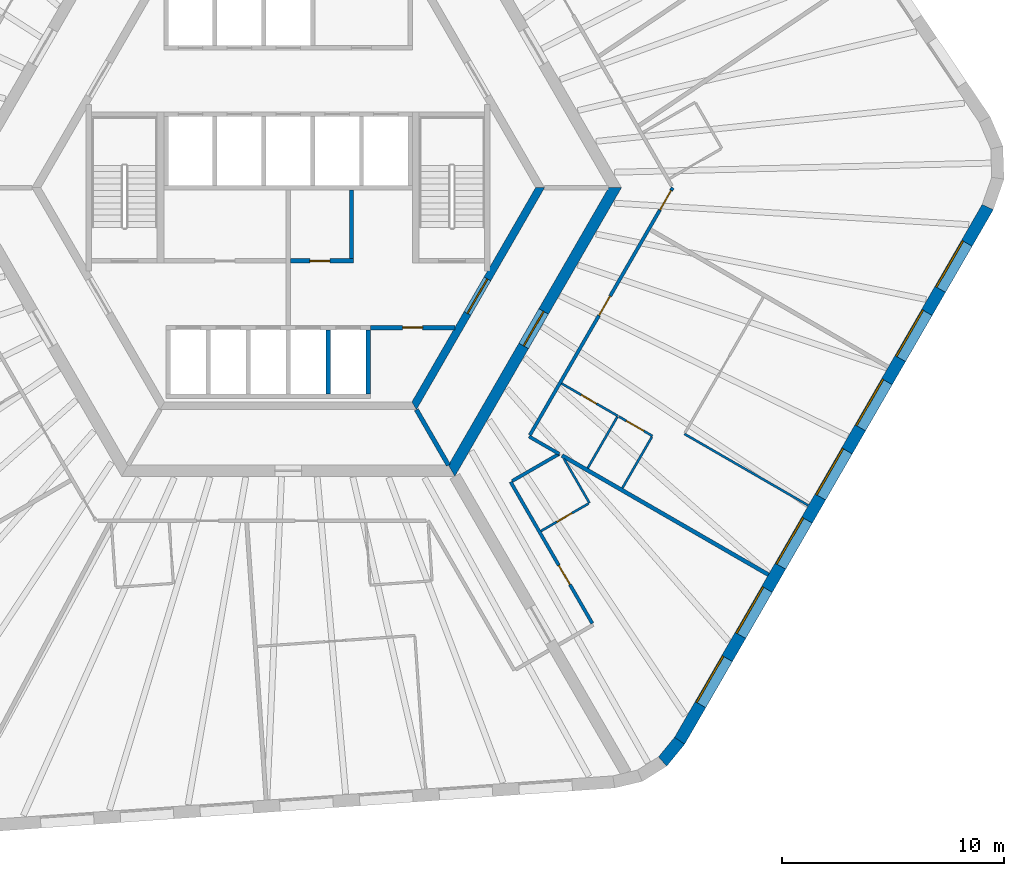
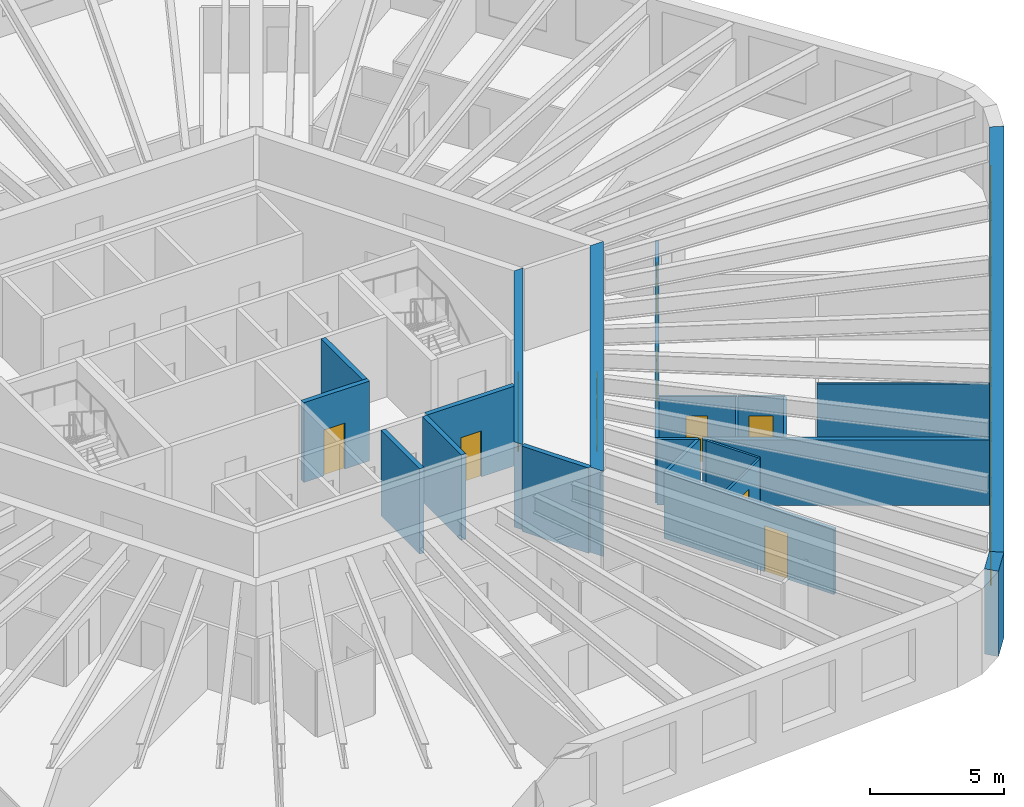
# One storey, part 5 of 10: 22 walls, 10 doors, 7 windows, 17 openings.
"""IFC4 building model written with IfcOpenShell, lengths in metres."""

from ifc_helpers import new_model, si_unit, direction, frame, frame_2d, origin, place, context, subcontext, project, spatial, polyline, rectangle, outline, extrude, material, layer, layer_set, type_object, element, fill, save


model = new_model("IFC4")

# Units and contexts
model_context = context("Model", 3, precision=1e-05, world=origin(), true_north=direction((0.0, 1.0)))
body_context = subcontext(model_context, "Body", "Model", "MODEL_VIEW")
ifc_project = project(units=[si_unit("LENGTHUNIT", "METRE"), si_unit("AREAUNIT", "SQUARE_METRE"), si_unit("VOLUMEUNIT", "CUBIC_METRE"), si_unit("PLANEANGLEUNIT", "RADIAN"), si_unit("MASSUNIT", "GRAM", prefix="KILO")], contexts=[model_context])

# Site, building, storey
site_placement = place(None, origin())
site = spatial("IfcSite", under=ifc_project, at=site_placement, CompositionType="ELEMENT")
building_placement = place(site_placement, origin())
building = spatial("IfcBuilding", under=site, at=building_placement, Name="Tarnside Tower", CompositionType="ELEMENT")
storey_placement = place(building_placement, frame((0.0, 0.0, 168.300048828125)))
storey = spatial("IfcBuildingStorey", under=building, at=storey_placement, Name="L39", CompositionType="ELEMENT", Elevation=168.300048828125)

# Wall
ifc_material_1 = material(Name="Gypsum board partition on steel studs", Category="steel")
ifc_layer_1 = layer(ifc_material_1, 0.10009765625)
ifc_layer_set_1 = layer_set([ifc_layer_1], Name="Bathroom wall 100")
wall_type_1 = type_object("IfcWallType", Name="Bathroom wall 100", PredefinedType="PARTITIONING", material=ifc_layer_set_1)
wall_1_placement = place(storey_placement, frame((12.42626953125, -12.22265625, 0.0), z_axis=(0.0, 0.0, 1.0), x_axis=(0.499959451571, -0.866048813165, 0.0)))
element("IfcWall", 1, at=wall_1_placement, inside=storey, type_object=wall_type_1, Name="Bathroom wall 12086", PredefinedType="PARTITIONING", context=body_context, shape_type="SweptSolid", body=[
    extrude(rectangle(XDim=2.288818359375, YDim=0.10009765625, at=frame_2d((1.14453125, 0.0))), origin(), (0.0, 0.0, 1.0), 2.98779296875),
])

# Wall, opening, door
wall_2_placement = place(storey_placement, frame((13.527099609375, -14.229736328125, 0.0), z_axis=(0.0, 0.0, 1.0), x_axis=(-0.866006523861, -0.500032699561, 0.0)))
wall_2 = element("IfcWall", 2, at=wall_2_placement, inside=storey, type_object=wall_type_1, Name="Bathroom wall 12087", PredefinedType="PARTITIONING", context=body_context, shape_type="SweptSolid", body=[
    extrude(rectangle(XDim=2.474853515625, YDim=0.10009765625, at=frame_2d((1.2373046875, 0.0))), origin(), (0.0, 0.0, 1.0), 2.98779296875),
])
opening_1_placement = place(wall_2_placement, frame((0.85009765625, 0.0, 0.0)))
opening_1 = element("IfcOpeningElement", 3, at=opening_1_placement, cuts=wall_2, Name="Opening D-B1", PredefinedType="OPENING", context=body_context, shape_type="SweptSolid", body=[
    extrude(rectangle(XDim=0.800048828125, YDim=2.10009765625, at=frame_2d((0.39990234375, 1.050048828125))), frame((0.0, 0.06005859375, 0.0), z_axis=(0.0, -1.0, 0.0), x_axis=(1.0, 0.0, 0.0)), (0.0, 0.0, 1.0), 0.1201171875),
])
ifc_material_2 = material(Name="Timber door leaf", Category="wood")
door_type_1 = type_object("IfcDoorType", Name="Bathroom door 800", OperationType="NOTDEFINED", PredefinedType="DOOR", material=ifc_material_2)
door_1_placement = place(opening_1_placement, origin())
door_1 = element("IfcDoor", 4, at=door_1_placement, inside=storey, type_object=door_type_1, Name="Bathroom door 12023", OperationType="SINGLE_SWING_RIGHT", OverallHeight=2.10009765625, OverallWidth=0.800048828125, PredefinedType="DOOR", context=body_context, shape_type="SweptSolid", body=[
    extrude(rectangle(XDim=0.800048828125, YDim=2.10009765625, at=frame_2d((0.39990234375, 1.050048828125))), frame((0.0, 0.02490234375, 0.0), z_axis=(0.0, -1.0, 0.0), x_axis=(1.0, 0.0, 0.0)), (0.0, 0.0, 1.0), 0.050048828125),
])
fill(opening_1, door_1)

wall_3_placement = place(storey_placement, frame((12.314208984375, -8.821044921875, 0.0), z_axis=(0.0, 0.0, 1.0), x_axis=(0.866046596414, -0.499963291492, 0.0)))
wall_3 = element("IfcWall", 5, at=wall_3_placement, inside=storey, type_object=wall_type_1, Name="Bathroom wall 12091", PredefinedType="PARTITIONING", context=body_context, shape_type="SweptSolid", body=[
    extrude(rectangle(XDim=2.925048828125, YDim=0.10009765625, at=frame_2d((1.46240234375, 0.0))), origin(), (0.0, 0.0, 1.0), 2.98779296875),
])
opening_2_placement = place(wall_3_placement, frame((1.02490234375, 0.0, 0.0)))
opening_2 = element("IfcOpeningElement", 6, at=opening_2_placement, cuts=wall_3, Name="Opening D-B1", PredefinedType="OPENING", context=body_context, shape_type="SweptSolid", body=[
    extrude(rectangle(XDim=0.800048828125, YDim=2.10009765625, at=frame_2d((0.39990234375, 1.050048828125))), frame((0.0, 0.06005859375, 0.0), z_axis=(0.0, -1.0, 0.0), x_axis=(1.0, 0.0, 0.0)), (0.0, 0.0, 1.0), 0.1201171875),
])
door_2_placement = place(opening_2_placement, origin())
door_2 = element("IfcDoor", 7, at=door_2_placement, inside=storey, type_object=door_type_1, Name="Bathroom door 12025", OperationType="SINGLE_SWING_RIGHT", OverallHeight=2.10009765625, OverallWidth=0.800048828125, PredefinedType="DOOR", context=body_context, shape_type="SweptSolid", body=[
    extrude(rectangle(XDim=0.800048828125, YDim=2.10009765625, at=frame_2d((0.39990234375, 1.050048828125))), frame((0.0, 0.02490234375, 0.0), z_axis=(0.0, -1.0, 0.0), x_axis=(1.0, 0.0, 0.0)), (0.0, 0.0, 1.0), 0.050048828125),
])
fill(opening_2, door_2)

# Wall
wall_4_placement = place(storey_placement, frame((13.492431640625, -12.63037109375, 0.0), z_axis=(0.0, 0.0, 1.0), x_axis=(0.50004820116, 0.865997573043, 0.0)))
element("IfcWall", 8, at=wall_4_placement, inside=storey, type_object=wall_type_1, Name="Bathroom wall 12097", PredefinedType="PARTITIONING", context=body_context, shape_type="SweptSolid", body=[
    extrude(rectangle(XDim=2.659912109375, YDim=0.10009765625, at=frame_2d((1.330078125, 0.0))), origin(), (0.0, 0.0, 1.0), 2.98779296875),
])

# Wall, opening, door
ifc_material_3 = material(Name="Concrete C50/60", Category="concrete")
ifc_layer_2 = layer(ifc_material_3, 0.35009765625)
ifc_layer_set_2 = layer_set([ifc_layer_2], Name="Core block wall 350 C50/60")
wall_type_2 = type_object("IfcWallType", Name="Core block wall 350 C50/60", PredefinedType="SHEAR", material=ifc_layer_set_2)
wall_5_placement = place(storey_placement, frame((5.672607421875, -9.824951171875, -0.150146484375), z_axis=(0.0, 0.0, 1.0), x_axis=(0.499995046907, 0.866028263435, 0.0)))
wall_5 = element("IfcWall", 9, at=wall_5_placement, inside=storey, type_object=wall_type_2, Name="L39 core block wall face 5", PredefinedType="SHEAR", context=body_context, shape_type="SweptSolid", body=[
    extrude(outline(polyline([(-0.10107421875, -0.175048828125), (11.44580078125, -0.175048828125), (11.24365234375, 0.175048828125), (0.10107421875, 0.175048828125), (-0.10107421875, -0.175048828125)])), origin(), (0.0, 0.0, 1.0), 3.900146484375),
])
opening_3_placement = place(wall_5_placement, frame((4.80126953125, 0.0, 0.14990234375)))
opening_3 = element("IfcOpeningElement", 10, at=opening_3_placement, cuts=wall_5, Name="Opening CD-FFL", PredefinedType="OPENING", context=body_context, shape_type="SweptSolid", body=[
    extrude(rectangle(XDim=1.800048828125, YDim=2.39990234375, at=frame_2d((0.89990234375, 1.199951171875))), frame((0.0, 0.18505859375, 0.0), z_axis=(0.0, -1.0, 0.0), x_axis=(1.0, 0.0, 0.0)), (0.0, 0.0, 1.0), 0.3701171875),
])
ifc_material_4 = material(Name="Steel fire door", Category="steel")
door_type_2 = type_object("IfcDoorType", Name="Firefighting lobby double door FD60S 1800x2400", OperationType="NOTDEFINED", PredefinedType="DOOR", material=ifc_material_4)
door_3_placement = place(opening_3_placement, origin())
door_3 = element("IfcDoor", 11, at=door_3_placement, inside=storey, type_object=door_type_2, Name="L39 lobby block door P4", OperationType="DOUBLE_DOOR_SINGLE_SWING", OverallHeight=2.39990234375, OverallWidth=1.800048828125, PredefinedType="DOOR", context=body_context, shape_type="SweptSolid", body=[
    extrude(rectangle(XDim=1.800048828125, YDim=2.39990234375, at=frame_2d((0.89990234375, 1.199951171875))), frame((0.0, 0.02490234375, 0.0), z_axis=(0.0, -1.0, 0.0), x_axis=(1.0, 0.0, 0.0)), (0.0, 0.0, 1.0), 0.050048828125),
])
fill(opening_3, door_3)

ifc_material_5 = material(Name="Concrete C40/50", Category="concrete")
ifc_layer_3 = layer(ifc_material_5, 0.199951171875)
ifc_layer_set_3 = layer_set([ifc_layer_3], Name="Core room partition 200 C40/50")
wall_type_3 = type_object("IfcWallType", Name="Core room partition 200 C40/50", PredefinedType="PARTITIONING", material=ifc_layer_set_3)
wall_6_placement = place(storey_placement, frame((0.10009765625, -3.300048828125, 0.0), z_axis=(0.0, 0.0, 1.0), x_axis=(1.0, 0.0, 0.0)))
wall_6 = element("IfcWall", 12, at=wall_6_placement, inside=storey, type_object=wall_type_3, Name="L39 core partition R3S1", PredefinedType="PARTITIONING", context=body_context, shape_type="SweptSolid", body=[
    extrude(rectangle(XDim=2.849853515625, YDim=0.199951171875, at=frame_2d((1.4248046875, 0.0))), origin(), (0.0, 0.0, 1.0), 3.64990234375),
])
opening_4_placement = place(wall_6_placement, frame((0.875, 0.0, 0.0)))
opening_4 = element("IfcOpeningElement", 13, at=opening_4_placement, cuts=wall_6, Name="Opening CD-room", PredefinedType="OPENING", context=body_context, shape_type="SweptSolid", body=[
    extrude(rectangle(XDim=0.89990234375, YDim=2.10009765625, at=frame_2d((0.449951171875, 1.050048828125))), frame((0.0, 0.10986328125, 0.0), z_axis=(0.0, -1.0, 0.0), x_axis=(1.0, 0.0, 0.0)), (0.0, 0.0, 1.0), 0.219970703125),
])
door_type_3 = type_object("IfcDoorType", Name="Room door FD60 900x2100", OperationType="NOTDEFINED", PredefinedType="DOOR", material=ifc_material_4)
door_4_placement = place(opening_4_placement, origin())
door_4 = element("IfcDoor", 14, at=door_4_placement, inside=storey, type_object=door_type_3, Name="L39 core room door SR1", OperationType="SINGLE_SWING_LEFT", OverallHeight=2.10009765625, OverallWidth=0.89990234375, PredefinedType="DOOR", context=body_context, shape_type="SweptSolid", body=[
    extrude(rectangle(XDim=0.89990234375, YDim=2.10009765625, at=frame_2d((0.449951171875, 1.050048828125))), frame((0.0, 0.02490234375, 0.0), z_axis=(0.0, -1.0, 0.0), x_axis=(1.0, 0.0, 0.0)), (0.0, 0.0, 1.0), 0.050048828125),
])
fill(opening_4, door_4)

# Wall
wall_7_placement = place(storey_placement, frame((2.85009765625, -3.199951171875, 0.0), z_axis=(0.0, 0.0, 1.0), x_axis=(0.0, 1.0, 0.0)))
element("IfcWall", 15, at=wall_7_placement, inside=storey, type_object=wall_type_3, Name="L39 core partition R3P1b", PredefinedType="PARTITIONING", context=body_context, shape_type="SweptSolid", body=[
    extrude(rectangle(XDim=3.099853515625, YDim=0.199951171875, at=frame_2d((1.5498046875, 0.0))), origin(), (0.0, 0.0, 1.0), 3.64990234375),
])

# Wall, opening, door
wall_8_placement = place(storey_placement, frame((3.699951171875, -6.300048828125, 0.0), z_axis=(0.0, 0.0, 1.0), x_axis=(1.0, 0.0, 0.0)))
wall_8 = element("IfcWall", 16, at=wall_8_placement, inside=storey, type_object=wall_type_3, Name="L39 core partition R4X", PredefinedType="PARTITIONING", context=body_context, shape_type="SweptSolid", body=[
    extrude(rectangle(XDim=3.8056640625, YDim=0.199951171875, at=frame_2d((1.90283203125, 0.0))), origin(), (0.0, 0.0, 1.0), 3.64990234375),
])
opening_5_placement = place(wall_8_placement, frame((1.452880859375, 0.0, 0.0)))
opening_5 = element("IfcOpeningElement", 17, at=opening_5_placement, cuts=wall_8, Name="Opening CD-room", PredefinedType="OPENING", context=body_context, shape_type="SweptSolid", body=[
    extrude(rectangle(XDim=0.89990234375, YDim=2.10009765625, at=frame_2d((0.449951171875, 1.050048828125))), frame((0.0, 0.10986328125, 0.0), z_axis=(0.0, -1.0, 0.0), x_axis=(1.0, 0.0, 0.0)), (0.0, 0.0, 1.0), 0.219970703125),
])
door_5_placement = place(opening_5_placement, origin())
door_5 = element("IfcDoor", 18, at=door_5_placement, inside=storey, type_object=door_type_3, Name="L39 core room door RX", OperationType="SINGLE_SWING_LEFT", OverallHeight=2.10009765625, OverallWidth=0.89990234375, PredefinedType="DOOR", context=body_context, shape_type="SweptSolid", body=[
    extrude(rectangle(XDim=0.89990234375, YDim=2.10009765625, at=frame_2d((0.449951171875, 1.050048828125))), frame((0.0, 0.02490234375, 0.0), z_axis=(0.0, -1.0, 0.0), x_axis=(1.0, 0.0, 0.0)), (0.0, 0.0, 1.0), 0.050048828125),
])
fill(opening_5, door_5)

ifc_material_6 = material(Name="Concrete C70/85", Category="concrete")
ifc_layer_4 = layer(ifc_material_6, 0.5)
ifc_layer_set_4 = layer_set([ifc_layer_4], Name="Core wall Z2 500 C70/85")
wall_type_4 = type_object("IfcWallType", Name="Core wall Z2 500 C70/85", PredefinedType="SHEAR", material=ifc_layer_set_4)
wall_9_placement = place(storey_placement, frame((7.361083984375, -12.75, -0.150146484375), z_axis=(0.0, 0.0, 1.0), x_axis=(0.50000571537, 0.866022103989, 0.0)))
wall_9 = element("IfcWall", 19, at=wall_9_placement, inside=storey, type_object=wall_type_4, Name="L39 core wall face 5", PredefinedType="SHEAR", context=body_context, shape_type="SweptSolid", body=[
    extrude(outline(polyline([(-0.144287109375, -0.25), (14.86669921875, -0.25), (14.578125, 0.25), (0.144287109375, 0.25), (-0.144287109375, -0.25)])), origin(), (0.0, 0.0, 1.0), 3.900146484375),
])
opening_6_placement = place(wall_9_placement, frame((6.489990234375, 0.0, 0.14990234375)))
opening_6 = element("IfcOpeningElement", 20, at=opening_6_placement, cuts=wall_9, Name="Opening CD-FFL", PredefinedType="OPENING", context=body_context, shape_type="SweptSolid", body=[
    extrude(rectangle(XDim=1.800048828125, YDim=2.39990234375, at=frame_2d((0.89990234375, 1.199951171875))), frame((0.0, 0.260009765625, 0.0), z_axis=(0.0, -1.0, 0.0), x_axis=(1.0, 0.0, 0.0)), (0.0, 0.0, 1.0), 0.52001953125),
])
door_6_placement = place(opening_6_placement, origin())
door_6 = element("IfcDoor", 21, at=door_6_placement, inside=storey, type_object=door_type_2, Name="L39 core door P4", OperationType="DOUBLE_DOOR_SINGLE_SWING", OverallHeight=2.39990234375, OverallWidth=1.800048828125, PredefinedType="DOOR", context=body_context, shape_type="SweptSolid", body=[
    extrude(rectangle(XDim=1.800048828125, YDim=2.39990234375, at=frame_2d((0.89990234375, 1.199951171875))), frame((0.0, 0.02490234375, 0.0), z_axis=(0.0, -1.0, 0.0), x_axis=(1.0, 0.0, 0.0)), (0.0, 0.0, 1.0), 0.050048828125),
])
fill(opening_6, door_6)

ifc_layer_5 = layer(ifc_material_1, 0.14990234375)
ifc_layer_set_5 = layer_set([ifc_layer_5], Name="Corridor wall 150 EI 60")
wall_type_5 = type_object("IfcWallType", Name="Corridor wall 150 EI 60", PredefinedType="PARTITIONING", material=ifc_layer_set_5)
wall_10_placement = place(storey_placement, frame((13.69921875, -19.6279296875, 0.0), z_axis=(0.0, 0.0, 1.0), x_axis=(-0.499995202058, 0.86602817386, 0.0)))
wall_10 = element("IfcWall", 22, at=wall_10_placement, inside=storey, type_object=wall_type_5, Name="Corridor wall 12029", PredefinedType="PARTITIONING", context=body_context, shape_type="SweptSolid", body=[
    extrude(rectangle(XDim=7.36083984375, YDim=0.14990234375, at=frame_2d((3.680419921875, 0.0))), origin(), (0.0, 0.0, 1.0), 2.98779296875),
])
opening_7_placement = place(wall_10_placement, frame((2.01806640625, 0.0, 0.0)))
opening_7 = element("IfcOpeningElement", 23, at=opening_7_placement, cuts=wall_10, Name="Opening D-E1", PredefinedType="OPENING", context=body_context, shape_type="SweptSolid", body=[
    extrude(rectangle(XDim=1.0, YDim=2.10009765625, at=frame_2d((0.5, 1.050048828125))), frame((0.0, 0.0849609375, 0.0), z_axis=(0.0, -1.0, 0.0), x_axis=(1.0, 0.0, 0.0)), (0.0, 0.0, 1.0), 0.169921875),
])
door_type_4 = type_object("IfcDoorType", Name="Unit entrance door 1000 FD30S", OperationType="NOTDEFINED", PredefinedType="DOOR", material=ifc_material_2)
door_7_placement = place(opening_7_placement, origin())
door_7 = element("IfcDoor", 24, at=door_7_placement, inside=storey, type_object=door_type_4, Name="Unit door 12022", OperationType="SINGLE_SWING_LEFT", OverallHeight=2.10009765625, OverallWidth=1.0, PredefinedType="DOOR", context=body_context, shape_type="SweptSolid", body=[
    extrude(rectangle(XDim=1.0, YDim=2.10009765625, at=frame_2d((0.5, 1.050048828125))), frame((0.0, 0.02490234375, 0.0), z_axis=(0.0, -1.0, 0.0), x_axis=(1.0, 0.0, 0.0)), (0.0, 0.0, 1.0), 0.050048828125),
])
fill(opening_7, door_7)

# Wall
wall_11_placement = place(storey_placement, frame((10.083740234375, -13.215576171875, 0.0), z_axis=(0.0, 0.0, 1.0), x_axis=(0.866026229868, 0.499998569178, 0.0)))
element("IfcWall", 25, at=wall_11_placement, inside=storey, type_object=wall_type_5, Name="Corridor wall 12031", PredefinedType="PARTITIONING", context=body_context, shape_type="SweptSolid", body=[
    extrude(rectangle(XDim=2.44921875, YDim=0.14990234375, at=frame_2d((1.224609375, 0.0))), origin(), (0.0, 0.0, 1.0), 2.98779296875),
])

# Wall, openings, doors
wall_12_placement = place(storey_placement, frame((10.88671875, -11.1435546875, 0.0), z_axis=(0.0, 0.0, 1.0), x_axis=(0.500006037985, 0.866021917724, 0.0)))
wall_12 = element("IfcWall", 26, at=wall_12_placement, inside=storey, type_object=wall_type_5, Name="Corridor wall 12032", PredefinedType="PARTITIONING", context=body_context, shape_type="SweptSolid", body=[
    extrude(rectangle(XDim=12.867431640625, YDim=0.14990234375, at=frame_2d((6.43359375, 0.0))), origin(), (0.0, 0.0, 1.0), 2.98779296875),
])
opening_8_placement = place(wall_12_placement, frame((6.22509765625, 0.0, 0.0)))
opening_8 = element("IfcOpeningElement", 27, at=opening_8_placement, cuts=wall_12, Name="Opening D-E1", PredefinedType="OPENING", context=body_context, shape_type="SweptSolid", body=[
    extrude(rectangle(XDim=1.0, YDim=2.10009765625, at=frame_2d((0.5, 1.050048828125))), frame((0.0, 0.0849609375, 0.0), z_axis=(0.0, -1.0, 0.0), x_axis=(1.0, 0.0, 0.0)), (0.0, 0.0, 1.0), 0.169921875),
])
opening_9_placement = place(wall_12_placement, frame((11.71728515625, 0.0, 0.0)))
opening_9 = element("IfcOpeningElement", 28, at=opening_9_placement, cuts=wall_12, Name="Opening D-E1", PredefinedType="OPENING", context=body_context, shape_type="SweptSolid", body=[
    extrude(rectangle(XDim=1.0, YDim=2.10009765625, at=frame_2d((0.5, 1.050048828125))), frame((0.0, 0.0849609375, 0.0), z_axis=(0.0, -1.0, 0.0), x_axis=(1.0, 0.0, 0.0)), (0.0, 0.0, 1.0), 0.169921875),
])
door_8_placement = place(opening_8_placement, origin())
door_8 = element("IfcDoor", 29, at=door_8_placement, inside=storey, type_object=door_type_4, Name="Unit door 12024", OperationType="SINGLE_SWING_LEFT", OverallHeight=2.10009765625, OverallWidth=1.0, PredefinedType="DOOR", context=body_context, shape_type="SweptSolid", body=[
    extrude(rectangle(XDim=1.0, YDim=2.10009765625, at=frame_2d((0.5, 1.050048828125))), frame((0.0, 0.02490234375, 0.0), z_axis=(0.0, -1.0, 0.0), x_axis=(1.0, 0.0, 0.0)), (0.0, 0.0, 1.0), 0.050048828125),
])
fill(opening_8, door_8)
door_9_placement = place(opening_9_placement, origin())
door_9 = element("IfcDoor", 30, at=door_9_placement, inside=storey, type_object=door_type_4, Name="Unit door 12028", OperationType="SINGLE_SWING_LEFT", OverallHeight=2.10009765625, OverallWidth=1.0, PredefinedType="DOOR", context=body_context, shape_type="SweptSolid", body=[
    extrude(rectangle(XDim=1.0, YDim=2.10009765625, at=frame_2d((0.5, 1.050048828125))), frame((0.0, 0.02490234375, 0.0), z_axis=(0.0, -1.0, 0.0), x_axis=(1.0, 0.0, 0.0)), (0.0, 0.0, 1.0), 0.050048828125),
])
fill(opening_9, door_9)

# Walls
wall_13_placement = place(storey_placement, frame((12.20751953125, -11.99267578125, 0.0), z_axis=(0.0, 0.0, 1.0), x_axis=(-0.866011891242, 0.50002340368, 0.0)))
element("IfcWall", 31, at=wall_13_placement, inside=storey, type_object=wall_type_5, Name="Corridor wall 12033", PredefinedType="PARTITIONING", context=body_context, shape_type="SweptSolid", body=[
    extrude(rectangle(XDim=1.568359375, YDim=0.14990234375, at=frame_2d((0.7841796875, 0.0))), origin(), (0.0, 0.0, 1.0), 2.98779296875),
])
ifc_layer_6 = layer(ifc_material_1, 0.179931640625)
ifc_layer_set_6 = layer_set([ifc_layer_6], Name="Demising wall 180 EI 60")
wall_type_6 = type_object("IfcWallType", Name="Demising wall 180 EI 60", PredefinedType="PARTITIONING", material=ifc_layer_set_6)
wall_14_placement = place(storey_placement, frame((21.63134765625, -17.433349609375, 0.0), z_axis=(0.0, 0.0, 1.0), x_axis=(-0.866030310389, 0.499991501415, 0.0)))
element("IfcWall", 32, at=wall_14_placement, inside=storey, type_object=wall_type_6, Name="Demising wall 12088", PredefinedType="PARTITIONING", context=body_context, shape_type="SweptSolid", body=[
    extrude(rectangle(XDim=10.735107421875, YDim=0.179931640625, at=frame_2d((5.36767578125, 0.0))), origin(), (0.0, 0.0, 1.0), 2.98779296875),
])
ifc_layer_7 = layer(ifc_material_5, 0.199951171875)
ifc_layer_set_7 = layer_set([ifc_layer_7], Name="Lift shaft wall 200 C40/50")
wall_type_7 = type_object("IfcWallType", Name="Lift shaft wall 200 C40/50", PredefinedType="SHEAR", material=ifc_layer_set_7)
for number, where, z_axis, x_axis, name in (
    (33, (1.800048828125, -9.300048828125, -0.25), (0.0, 0.0, 1.0), (0.0, 1.0, 0.0), "L39 lift shaft partition R45"),
    (34, (3.60009765625, -9.300048828125, -0.25), (0.0, 0.0, 1.0), (0.0, 1.0, 0.0), "L39 lift shaft partition R46"),
):
    element("IfcWall", number, at=place(storey_placement, frame(where, z_axis=z_axis, x_axis=x_axis)), inside=storey, type_object=wall_type_7, Name=name, PredefinedType="SHEAR", context=body_context, shape_type="SweptSolid", body=[
        extrude(rectangle(XDim=2.900146484375, YDim=0.199951171875, at=frame_2d((1.4501953125, 0.0))), origin(), (0.0, 0.0, 1.0), 3.89990234375),
    ])
wall_15_placement = place(storey_placement, frame((5.7734375, -10.0, -0.150146484375), z_axis=(0.0, 0.0, 1.0), x_axis=(0.499995765644, -0.866027848477, 0.0)))
element("IfcWall", 35, at=wall_15_placement, inside=storey, type_object=wall_type_7, Name="L39 core partition AR300", PredefinedType="SHEAR", context=body_context, shape_type="SweptSolid", body=[
    extrude(rectangle(XDim=2.88671875, YDim=0.199951171875, at=frame_2d((1.443359375, 0.0))), origin(), (0.0, 0.0, 1.0), 3.900146484375),
])

# Wall, opening, door
ifc_layer_8 = layer(ifc_material_1, 0.10009765625)
ifc_layer_set_8 = layer_set([ifc_layer_8], Name="Partition 100")
wall_type_8 = type_object("IfcWallType", Name="Partition 100", PredefinedType="PARTITIONING", material=ifc_layer_set_8)
wall_16_placement = place(storey_placement, frame((14.890625, -10.30859375, 0.0), z_axis=(0.0, 0.0, 1.0), x_axis=(0.866036909293, -0.499980071345, 0.0)))
wall_16 = element("IfcWall", 36, at=wall_16_placement, inside=storey, type_object=wall_type_8, Name="Partition wall 12092", PredefinedType="PARTITIONING", context=body_context, shape_type="SweptSolid", body=[
    extrude(rectangle(XDim=1.75, YDim=0.10009765625, at=frame_2d((0.875, 0.0))), origin(), (0.0, 0.0, 1.0), 2.98779296875),
])
opening_10_placement = place(wall_16_placement, frame((0.39990234375, 0.0, 0.0)))
opening_10 = element("IfcOpeningElement", 37, at=opening_10_placement, cuts=wall_16, Name="Opening D-I1", PredefinedType="OPENING", context=body_context, shape_type="SweptSolid", body=[
    extrude(rectangle(XDim=0.89990234375, YDim=2.10009765625, at=frame_2d((0.449951171875, 1.050048828125))), frame((0.0, 0.06005859375, 0.0), z_axis=(0.0, -1.0, 0.0), x_axis=(1.0, 0.0, 0.0)), (0.0, 0.0, 1.0), 0.1201171875),
])
door_type_5 = type_object("IfcDoorType", Name="Internal door 900", OperationType="NOTDEFINED", PredefinedType="DOOR", material=ifc_material_2)
door_10_placement = place(opening_10_placement, origin())
door_10 = element("IfcDoor", 38, at=door_10_placement, inside=storey, type_object=door_type_5, Name="Internal door 12026", OperationType="SINGLE_SWING_RIGHT", OverallHeight=2.10009765625, OverallWidth=0.89990234375, PredefinedType="DOOR", context=body_context, shape_type="SweptSolid", body=[
    extrude(rectangle(XDim=0.89990234375, YDim=2.10009765625, at=frame_2d((0.449951171875, 1.050048828125))), frame((0.0, 0.02490234375, 0.0), z_axis=(0.0, -1.0, 0.0), x_axis=(1.0, 0.0, 0.0)), (0.0, 0.0, 1.0), 0.050048828125),
])
fill(opening_10, door_10)

# Walls
wall_17_placement = place(storey_placement, frame((16.38134765625, -11.226806640625, 0.0), z_axis=(0.0, 0.0, 1.0), x_axis=(-0.500008456887, -0.866020521143, 0.0)))
element("IfcWall", 39, at=wall_17_placement, inside=storey, type_object=wall_type_8, Name="Partition wall 12093", PredefinedType="PARTITIONING", context=body_context, shape_type="SweptSolid", body=[
    extrude(rectangle(XDim=2.66015625, YDim=0.10009765625, at=frame_2d((1.330078125, 0.0))), origin(), (0.0, 0.0, 1.0), 2.98779296875),
])
wall_18_placement = place(storey_placement, frame((23.431396484375, -14.315673828125, 0.0), z_axis=(0.0, 0.0, 1.0), x_axis=(-0.86603809205, 0.499978022635, 0.0)))
element("IfcWall", 40, at=wall_18_placement, inside=storey, type_object=wall_type_8, Name="Partition wall 12094", PredefinedType="PARTITIONING", context=body_context, shape_type="SweptSolid", body=[
    extrude(rectangle(XDim=6.449951171875, YDim=0.10009765625, at=frame_2d((3.22509765625, 0.0))), origin(), (0.0, 0.0, 1.0), 2.98779296875),
])
ifc_material_7 = material(Name="Facing brick", Category="masonry")
ifc_layer_9 = layer(ifc_material_7, 0.10205078125)
ifc_material_8 = material(Name="Concrete C60/75 precast", Category="concrete")
ifc_layer_10 = layer(ifc_material_8, 0.347900390625)
ifc_material_9 = material(Name="Mineral wool insulation")
ifc_layer_11 = layer(ifc_material_9, 0.10009765625)
ifc_layer_set_9 = layer_set([ifc_layer_9, ifc_layer_10, ifc_layer_11], Name="Tube wall 550 brick faced")
wall_type_9 = type_object("IfcWallType", Name="Tube wall 550 brick faced", PredefinedType="SOLIDWALL", material=ifc_layer_set_9)
wall_19_placement = place(storey_placement, frame((16.8642578125, -25.848388671875, -0.150146484375), z_axis=(0.0, 0.0, 1.0), x_axis=(0.633842757806, 0.773461930787, 0.0)))
element("IfcWall", 41, at=wall_19_placement, inside=storey, type_object=wall_type_9, Name="Tube wall L39 F4 chord 15", PredefinedType="SOLIDWALL", context=body_context, shape_type="SweptSolid", body=[
    extrude(outline(polyline([(-0.045166015625, -0.27490234375), (1.230712890625, -0.27490234375), (1.185791015625, 0.27490234375), (0.045166015625, 0.27490234375), (-0.045166015625, -0.27490234375)])), origin(), (0.0, 0.0, 1.0), 3.900146484375),
])

# Wall, openings, windows
wall_20_placement = place(storey_placement, frame((17.630126953125, -24.913818359375, -0.150146484375), z_axis=(0.0, 0.0, 1.0), x_axis=(0.499998569178, 0.866026229868, 0.0)))
wall_20 = element("IfcWall", 42, at=wall_20_placement, inside=storey, type_object=wall_type_9, Name="Tube wall L39 F5 flush 16", PredefinedType="SOLIDWALL", context=body_context, shape_type="SweptSolid", body=[
    extrude(outline(polyline([(-0.0224609375, -0.27490234375), (27.783447265625, -0.27490234375), (27.732177734375, 0.27490234375), (0.0224609375, 0.27490234375), (-0.0224609375, -0.27490234375)])), origin(), (0.0, 0.0, 1.0), 3.900146484375),
])
opening_11_placement = place(wall_20_placement, frame((1.87890625, 0.0, 1.050048828125)))
opening_11 = element("IfcOpeningElement", 43, at=opening_11_placement, cuts=wall_20, Name="Opening WH", PredefinedType="OPENING", context=body_context, shape_type="SweptSolid", body=[
    extrude(rectangle(XDim=2.39990234375, YDim=2.39990234375, at=frame_2d((1.199951171875, 1.199951171875))), frame((0.0, 0.28515625, 0.0), z_axis=(0.0, -1.0, 0.0), x_axis=(1.0, 0.0, 0.0)), (0.0, 0.0, 1.0), 0.570068359375),
])
opening_12_placement = place(wall_20_placement, frame((5.47900390625, 0.0, 1.050048828125)))
opening_12 = element("IfcOpeningElement", 44, at=opening_12_placement, cuts=wall_20, Name="Opening WH", PredefinedType="OPENING", context=body_context, shape_type="SweptSolid", body=[
    extrude(rectangle(XDim=2.39990234375, YDim=2.39990234375, at=frame_2d((1.199951171875, 1.199951171875))), frame((0.0, 0.28515625, 0.0), z_axis=(0.0, -1.0, 0.0), x_axis=(1.0, 0.0, 0.0)), (0.0, 0.0, 1.0), 0.570068359375),
])
opening_13_placement = place(wall_20_placement, frame((9.078857421875, 0.0, 1.050048828125)))
opening_13 = element("IfcOpeningElement", 45, at=opening_13_placement, cuts=wall_20, Name="Opening WH", PredefinedType="OPENING", context=body_context, shape_type="SweptSolid", body=[
    extrude(rectangle(XDim=2.39990234375, YDim=2.39990234375, at=frame_2d((1.199951171875, 1.199951171875))), frame((0.0, 0.28515625, 0.0), z_axis=(0.0, -1.0, 0.0), x_axis=(1.0, 0.0, 0.0)), (0.0, 0.0, 1.0), 0.570068359375),
])
opening_14_placement = place(wall_20_placement, frame((12.678955078125, 0.0, 1.050048828125)))
opening_14 = element("IfcOpeningElement", 46, at=opening_14_placement, cuts=wall_20, Name="Opening WH", PredefinedType="OPENING", context=body_context, shape_type="SweptSolid", body=[
    extrude(rectangle(XDim=2.39990234375, YDim=2.39990234375, at=frame_2d((1.199951171875, 1.199951171875))), frame((0.0, 0.28515625, 0.0), z_axis=(0.0, -1.0, 0.0), x_axis=(1.0, 0.0, 0.0)), (0.0, 0.0, 1.0), 0.570068359375),
])
opening_15_placement = place(wall_20_placement, frame((16.27880859375, 0.0, 1.050048828125)))
opening_15 = element("IfcOpeningElement", 47, at=opening_15_placement, cuts=wall_20, Name="Opening WH", PredefinedType="OPENING", context=body_context, shape_type="SweptSolid", body=[
    extrude(rectangle(XDim=2.39990234375, YDim=2.39990234375, at=frame_2d((1.199951171875, 1.199951171875))), frame((0.0, 0.28515625, 0.0), z_axis=(0.0, -1.0, 0.0), x_axis=(1.0, 0.0, 0.0)), (0.0, 0.0, 1.0), 0.570068359375),
])
opening_16_placement = place(wall_20_placement, frame((19.87890625, 0.0, 1.050048828125)))
opening_16 = element("IfcOpeningElement", 48, at=opening_16_placement, cuts=wall_20, Name="Opening WH", PredefinedType="OPENING", context=body_context, shape_type="SweptSolid", body=[
    extrude(rectangle(XDim=2.39990234375, YDim=2.39990234375, at=frame_2d((1.199951171875, 1.199951171875))), frame((0.0, 0.28515625, 0.0), z_axis=(0.0, -1.0, 0.0), x_axis=(1.0, 0.0, 0.0)), (0.0, 0.0, 1.0), 0.570068359375),
])
opening_17_placement = place(wall_20_placement, frame((23.47900390625, 0.0, 1.050048828125)))
opening_17 = element("IfcOpeningElement", 49, at=opening_17_placement, cuts=wall_20, Name="Opening WH", PredefinedType="OPENING", context=body_context, shape_type="SweptSolid", body=[
    extrude(rectangle(XDim=2.39990234375, YDim=2.39990234375, at=frame_2d((1.199951171875, 1.199951171875))), frame((0.0, 0.28515625, 0.0), z_axis=(0.0, -1.0, 0.0), x_axis=(1.0, 0.0, 0.0)), (0.0, 0.0, 1.0), 0.570068359375),
])
ifc_material_10 = material(Name="Aluminium-framed double glazing", Category="aluminium")
window_type = type_object("IfcWindowType", Name="Hotel window 2400 x 2400", PartitioningType="DOUBLE_PANEL_VERTICAL", PredefinedType="WINDOW", material=ifc_material_10)
window_1_placement = place(opening_11_placement, frame((0.0, 0.205078125, 0.0)))
window_1 = element("IfcWindow", 50, at=window_1_placement, inside=storey, type_object=window_type, Name="E.WN.L39.F5.00", OverallHeight=2.39990234375, OverallWidth=2.39990234375, PartitioningType="DOUBLE_PANEL_VERTICAL", PredefinedType="WINDOW", context=body_context, shape_type="SweptSolid", body=[
    extrude(rectangle(XDim=2.39990234375, YDim=2.39990234375, at=frame_2d((1.199951171875, 1.199951171875))), frame((0.0, 0.030029296875, 0.0), z_axis=(0.0, -1.0, 0.0), x_axis=(1.0, 0.0, 0.0)), (0.0, 0.0, 1.0), 0.06005859375),
])
fill(opening_11, window_1)
window_2_placement = place(opening_12_placement, frame((0.0, 0.205078125, 0.0)))
window_2 = element("IfcWindow", 51, at=window_2_placement, inside=storey, type_object=window_type, Name="E.WN.L39.F5.01", OverallHeight=2.39990234375, OverallWidth=2.39990234375, PartitioningType="DOUBLE_PANEL_VERTICAL", PredefinedType="WINDOW", context=body_context, shape_type="SweptSolid", body=[
    extrude(rectangle(XDim=2.39990234375, YDim=2.39990234375, at=frame_2d((1.199951171875, 1.199951171875))), frame((0.0, 0.030029296875, 0.0), z_axis=(0.0, -1.0, 0.0), x_axis=(1.0, 0.0, 0.0)), (0.0, 0.0, 1.0), 0.06005859375),
])
fill(opening_12, window_2)
window_3_placement = place(opening_13_placement, frame((0.0, 0.205078125, 0.0)))
window_3 = element("IfcWindow", 52, at=window_3_placement, inside=storey, type_object=window_type, Name="E.WN.L39.F5.02", OverallHeight=2.39990234375, OverallWidth=2.39990234375, PartitioningType="DOUBLE_PANEL_VERTICAL", PredefinedType="WINDOW", context=body_context, shape_type="SweptSolid", body=[
    extrude(rectangle(XDim=2.39990234375, YDim=2.39990234375, at=frame_2d((1.199951171875, 1.199951171875))), frame((0.0, 0.030029296875, 0.0), z_axis=(0.0, -1.0, 0.0), x_axis=(1.0, 0.0, 0.0)), (0.0, 0.0, 1.0), 0.06005859375),
])
fill(opening_13, window_3)
window_4_placement = place(opening_14_placement, frame((0.0, 0.205078125, 0.0)))
window_4 = element("IfcWindow", 53, at=window_4_placement, inside=storey, type_object=window_type, Name="E.WN.L39.F5.03", OverallHeight=2.39990234375, OverallWidth=2.39990234375, PartitioningType="DOUBLE_PANEL_VERTICAL", PredefinedType="WINDOW", context=body_context, shape_type="SweptSolid", body=[
    extrude(rectangle(XDim=2.39990234375, YDim=2.39990234375, at=frame_2d((1.199951171875, 1.199951171875))), frame((0.0, 0.030029296875, 0.0), z_axis=(0.0, -1.0, 0.0), x_axis=(1.0, 0.0, 0.0)), (0.0, 0.0, 1.0), 0.06005859375),
])
fill(opening_14, window_4)
window_5_placement = place(opening_15_placement, frame((0.0, 0.205078125, 0.0)))
window_5 = element("IfcWindow", 54, at=window_5_placement, inside=storey, type_object=window_type, Name="E.WN.L39.F5.04", OverallHeight=2.39990234375, OverallWidth=2.39990234375, PartitioningType="DOUBLE_PANEL_VERTICAL", PredefinedType="WINDOW", context=body_context, shape_type="SweptSolid", body=[
    extrude(rectangle(XDim=2.39990234375, YDim=2.39990234375, at=frame_2d((1.199951171875, 1.199951171875))), frame((0.0, 0.030029296875, 0.0), z_axis=(0.0, -1.0, 0.0), x_axis=(1.0, 0.0, 0.0)), (0.0, 0.0, 1.0), 0.06005859375),
])
fill(opening_15, window_5)
window_6_placement = place(opening_16_placement, frame((0.0, 0.205078125, 0.0)))
window_6 = element("IfcWindow", 55, at=window_6_placement, inside=storey, type_object=window_type, Name="E.WN.L39.F5.05", OverallHeight=2.39990234375, OverallWidth=2.39990234375, PartitioningType="DOUBLE_PANEL_VERTICAL", PredefinedType="WINDOW", context=body_context, shape_type="SweptSolid", body=[
    extrude(rectangle(XDim=2.39990234375, YDim=2.39990234375, at=frame_2d((1.199951171875, 1.199951171875))), frame((0.0, 0.030029296875, 0.0), z_axis=(0.0, -1.0, 0.0), x_axis=(1.0, 0.0, 0.0)), (0.0, 0.0, 1.0), 0.06005859375),
])
fill(opening_16, window_6)
window_7_placement = place(opening_17_placement, frame((0.0, 0.205078125, 0.0)))
window_7 = element("IfcWindow", 56, at=window_7_placement, inside=storey, type_object=window_type, Name="E.WN.L39.F5.06", OverallHeight=2.39990234375, OverallWidth=2.39990234375, PartitioningType="DOUBLE_PANEL_VERTICAL", PredefinedType="WINDOW", context=body_context, shape_type="SweptSolid", body=[
    extrude(rectangle(XDim=2.39990234375, YDim=2.39990234375, at=frame_2d((1.199951171875, 1.199951171875))), frame((0.0, 0.030029296875, 0.0), z_axis=(0.0, -1.0, 0.0), x_axis=(1.0, 0.0, 0.0)), (0.0, 0.0, 1.0), 0.06005859375),
])
fill(opening_17, window_7)

save(model, "model.ifc")
